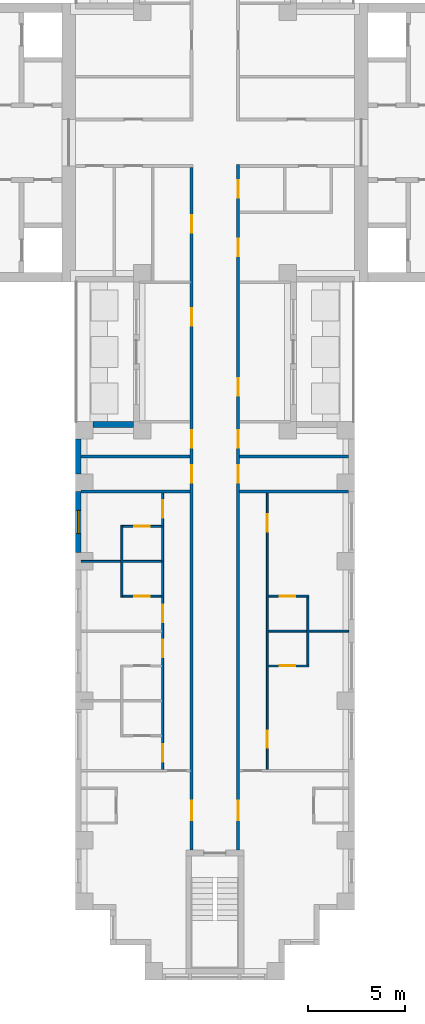
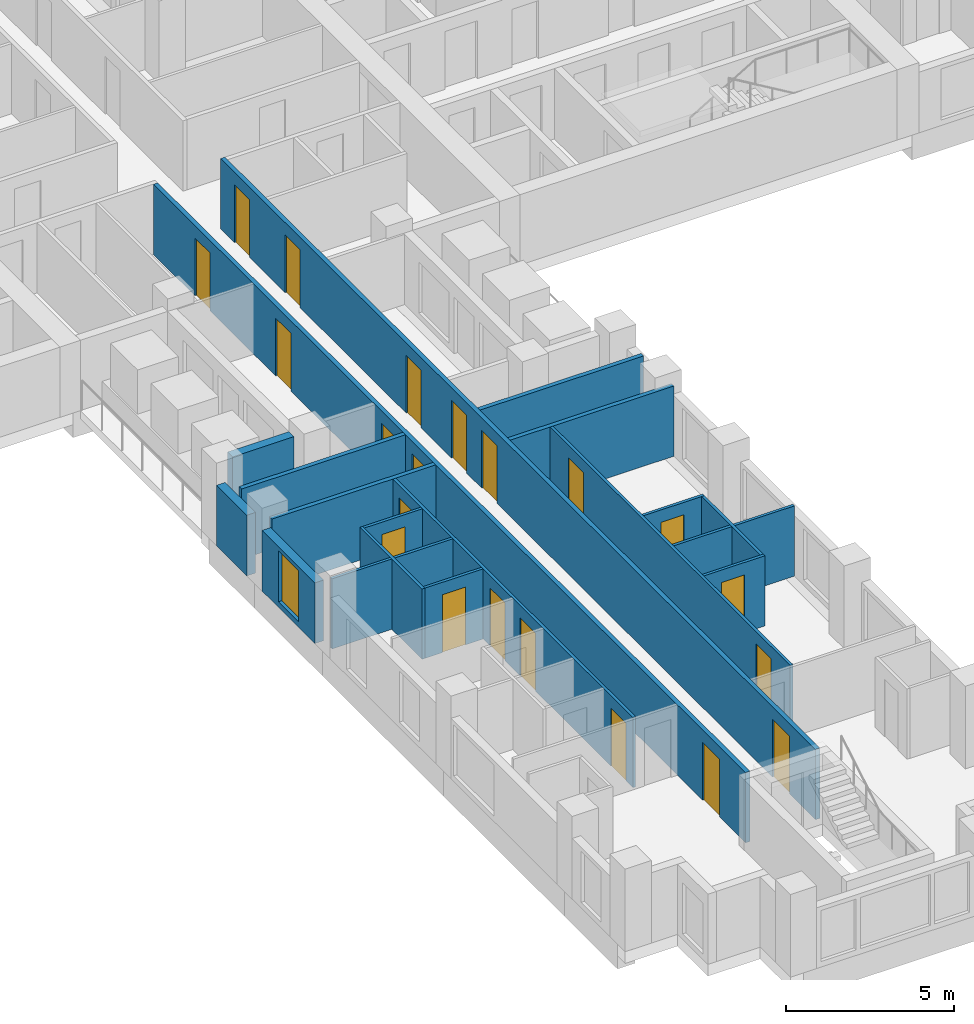
# One storey, part 4 of 13: 21 doors, 19 walls, 1 window, 22 openings.
"""IFC4 building model written with IfcOpenShell, lengths in metres."""

import ifcopenshell
import ifcopenshell.guid

model = None  # the IFC model being written
_history = None  # IfcOwnerHistory: only IFC2X3 demands one
_inside = {}  # id of a spatial element -> (the spatial element, [elements in it])
_under = {}  # id of a project, library or spatial element -> (it, [spatial elements below it])
_declared = {}  # id of a project -> (the project, [libraries it declares])
_typed = {}  # id of a type object -> (the type object, [elements of that type])
_made_of = {}  # id of a material, layer set ... -> (it, [elements and type objects made of it])


def new_model(schema):
    """Start an empty IFC model of exactly this schema.

    Asked for "IFC4X3", IfcOpenShell would pick the latest addendum, in which some entities
    have other attributes; the version numbers below select the first issue.
    IFC2X3 requires an IfcOwnerHistory on every rooted entity: one is made here for all.
    """
    global model, _history
    if schema == "IFC4X3":
        model = ifcopenshell.file(schema_version=(4, 3, 0, 0))
    else:
        model = ifcopenshell.file(schema=schema)
    _inside.clear()
    _under.clear()
    _declared.clear()
    _typed.clear()
    _made_of.clear()
    _history = None
    if model.schema == "IFC2X3":
        org = make("IfcOrganization", Name="unknown")
        user = make(
            "IfcPersonAndOrganization",
            ThePerson=make("IfcPerson", FamilyName="unknown"),
            TheOrganization=org,
        )
        app = make(
            "IfcApplication",
            ApplicationDeveloper=org,
            Version="unknown",
            ApplicationFullName="unknown",
            ApplicationIdentifier="unknown",
        )
        _history = make(
            "IfcOwnerHistory",
            OwningUser=user,
            OwningApplication=app,
            ChangeAction="ADDED",
            CreationDate=0,
        )
    return model


def make(cls, **values):
    """One entity of the class cls with the attributes given. An attribute that is None is left unset."""
    return model.create_entity(
        cls, **{name: value for name, value in values.items() if value is not None}
    )


def rooted(cls, **values):
    """An entity with a GlobalId (a new one), such as an element, a storey or a relation."""
    return make(cls, GlobalId=ifcopenshell.guid.new(), OwnerHistory=_history, **values)


def si_unit(unit_type, name, prefix=None):
    """IfcSIUnit, for example si_unit("LENGTHUNIT", "METRE", prefix="MILLI")."""
    return make("IfcSIUnit", UnitType=unit_type, Prefix=prefix, Name=name)


def assignment(units):
    """IfcUnitAssignment: the units of a project."""
    return None if units is None else make("IfcUnitAssignment", Units=units)


def point(xyz):
    """IfcCartesianPoint."""
    return None if xyz is None else make("IfcCartesianPoint", Coordinates=xyz)


def direction(xyz):
    """IfcDirection."""
    return None if xyz is None else make("IfcDirection", DirectionRatios=xyz)


def frame(location, z_axis=None, x_axis=None):
    """IfcAxis2Placement3D, a coordinate frame: its origin and axes. An axis left out is left unset."""
    return make(
        "IfcAxis2Placement3D",
        Location=point(location),
        Axis=direction(z_axis),
        RefDirection=direction(x_axis),
    )


def frame_2d(location, x_axis=None):
    """IfcAxis2Placement2D, a coordinate frame in the plane: its origin and x axis."""
    return make(
        "IfcAxis2Placement2D", Location=point(location), RefDirection=direction(x_axis)
    )


def origin():
    """The frame at (0, 0, 0) with its axes left unset."""
    return frame((0.0, 0.0, 0.0))


def place(relative_to, where):
    """IfcLocalPlacement: puts the frame where relative to a parent placement (None: the world)."""
    return make(
        "IfcLocalPlacement", PlacementRelTo=relative_to, RelativePlacement=where
    )


def context(
    kind, dimensions, precision=None, world=None, true_north=None, identifier=None
):
    """IfcGeometricRepresentationContext, for example the 3D "Model" context."""
    return make(
        "IfcGeometricRepresentationContext",
        ContextIdentifier=identifier,
        ContextType=kind,
        CoordinateSpaceDimension=dimensions,
        Precision=precision,
        WorldCoordinateSystem=world,
        TrueNorth=true_north,
    )


def subcontext(parent, identifier, kind, view, scale=None):
    """IfcGeometricRepresentationSubContext, for example "Body" below "Model"."""
    return make(
        "IfcGeometricRepresentationSubContext",
        ContextIdentifier=identifier,
        ContextType=kind,
        ParentContext=parent,
        TargetScale=scale,
        TargetView=view,
    )


def project(units=None, contexts=None):
    """IfcProject with its units and contexts."""
    return rooted(
        "IfcProject",
        Name="project",
        RepresentationContexts=contexts,
        UnitsInContext=assignment(units),
    )


def spatial(cls, under=None, at=None, **own):
    """A site, building, storey or space (cls), placed at a placement, below another one or the project."""
    s = rooted(cls, ObjectPlacement=at, **own)
    if under is not None:
        _under.setdefault(under.id(), (under, []))[1].append(s)
    return s


def profile(cls, at=None, kind="AREA", **sizes):
    """A parametric profile (cls). Its sizes go by their IFC names, for example OverallWidth=200.0."""
    return make(cls, ProfileType=kind, Position=at, **sizes)


def rectangle(**sizes):
    """IfcRectangleProfileDef."""
    return profile("IfcRectangleProfileDef", **sizes)


def extrude(swept, where, along, depth):
    """IfcExtrudedAreaSolid: the profile swept, set in the frame where, extruded along a direction by depth."""
    return make(
        "IfcExtrudedAreaSolid",
        SweptArea=swept,
        Position=where,
        ExtrudedDirection=direction(along),
        Depth=depth,
    )


def shape(context_of_items, identifier, shape_type, items):
    """IfcShapeRepresentation: the items that make up one representation, for example the "Body"."""
    return make(
        "IfcShapeRepresentation",
        ContextOfItems=context_of_items,
        RepresentationIdentifier=identifier,
        RepresentationType=shape_type,
        Items=items,
    )


def material(Name=None, Category=None):
    """IfcMaterial."""
    return make("IfcMaterial", Name=Name, Category=Category)


def layer(
    of_material, thickness, ventilated=None, Name=None, Category=None, Priority=None
):
    """IfcMaterialLayer: one layer of a wall or slab, of a material (None: an air gap)."""
    return make(
        "IfcMaterialLayer",
        Material=of_material,
        LayerThickness=thickness,
        IsVentilated=ventilated,
        Name=Name,
        Category=Category,
        Priority=Priority,
    )


def layer_set(layers, Name=None):
    """IfcMaterialLayerSet."""
    return make("IfcMaterialLayerSet", MaterialLayers=layers, LayerSetName=Name)


def made_of(thing, what):
    """Note that an element or type object is made of a material, layer set ...; save() writes the relation."""
    if what is not None:
        _made_of.setdefault(what.id(), (what, []))[1].append(thing)
    return thing


def type_object(cls, material=None, **own):
    """A type object (cls), such as IfcWallType, which elements share."""
    return made_of(rooted(cls, **own), material)


def element(
    cls,
    number,
    at=None,
    inside=None,
    cuts=None,
    type_object=None,
    material=None,
    context=None,
    identifier="Body",
    shape_type=None,
    held_by="IfcProductDefinitionShape",
    body=None,
    shapes=None,
    **own,
):
    """One element of the class cls, such as IfcWall. Its Tag is "e" and its number.

    at: its placement. inside: the storey or other place that contains it. cuts: it is an
    opening in that element (IfcRelVoidsElement). A single representation is given by context,
    identifier, shape_type and body (its items); several are given by shapes. held_by: the class
    of the entity that holds the representations. save() writes the other relations.
    """
    e = rooted(cls, Tag="e%d" % number, ObjectPlacement=at, **own)
    if body is not None:
        shapes = [shape(context, identifier, shape_type, body)]
    if shapes is not None:
        e.Representation = make(held_by, Representations=shapes)
    if inside is not None:
        _inside.setdefault(inside.id(), (inside, []))[1].append(e)
    if cuts is not None:
        rooted(
            "IfcRelVoidsElement", RelatingBuildingElement=cuts, RelatedOpeningElement=e
        )
    if type_object is not None:
        _typed.setdefault(type_object.id(), (type_object, []))[1].append(e)
    return made_of(e, material)


def fill(opening, filler):
    """IfcRelFillsElement: the door or window that sits in an opening."""
    return rooted(
        "IfcRelFillsElement",
        RelatingOpeningElement=opening,
        RelatedBuildingElement=filler,
    )


def aggregate(whole, parts):
    """IfcRelAggregates: a whole, such as a stair, and the parts it consists of."""
    return rooted("IfcRelAggregates", RelatingObject=whole, RelatedObjects=parts)


def save(model, path):
    """Write the relations noted so far, then the file.

    IfcRelAggregates (storeys below a building ...), IfcRelContainedInSpatialStructure (elements
    in a storey), IfcRelDefinesByType, IfcRelAssociatesMaterial and IfcRelDeclares: one each for
    every whole, place, type object, material and project.
    """
    for whole, parts in _under.values():
        aggregate(whole, parts)
    for where, things in _inside.values():
        rooted(
            "IfcRelContainedInSpatialStructure",
            RelatedElements=things,
            RelatingStructure=where,
        )
    for kind, things in _typed.values():
        rooted("IfcRelDefinesByType", RelatedObjects=things, RelatingType=kind)
    for what, things in _made_of.values():
        rooted("IfcRelAssociatesMaterial", RelatedObjects=things, RelatingMaterial=what)
    for by, libraries in _declared.values():
        rooted("IfcRelDeclares", RelatingContext=by, RelatedDefinitions=libraries)
    model.write(path)


model = new_model("IFC4")

# Units and contexts
model_context = context("Model", 3, precision=1e-05, world=origin(), true_north=direction((0.0, 1.0)))
body_context = subcontext(model_context, "Body", "Model", "MODEL_VIEW")
ifc_project = project(units=[si_unit("LENGTHUNIT", "METRE"), si_unit("AREAUNIT", "SQUARE_METRE"), si_unit("VOLUMEUNIT", "CUBIC_METRE"), si_unit("PLANEANGLEUNIT", "RADIAN"), si_unit("MASSUNIT", "GRAM", prefix="KILO")], contexts=[model_context])

# Site, building, storey
site_placement = place(None, origin())
site = spatial("IfcSite", under=ifc_project, at=site_placement, CompositionType="ELEMENT")
building_placement = place(site_placement, origin())
building = spatial("IfcBuilding", under=site, at=building_placement, Name="Fustian Cross Tower", CompositionType="ELEMENT")
storey_placement = place(building_placement, frame((0.0, 0.0, 108.89990234375)))
storey = spatial("IfcBuildingStorey", under=building, at=storey_placement, Name="L34", CompositionType="ELEMENT", Elevation=108.89990234375)

# Walls
ifc_material_1 = material(Name="Plasterboard on steel stud", Category="steel")
ifc_layer_1 = layer(ifc_material_1, 0.14990234375)
ifc_layer_set_1 = layer_set([ifc_layer_1], Name="Plasterboard on steel stud")
wall_type_1 = type_object("IfcWallType", Name="COMPARTMENT WALL 150 EI 60", PredefinedType="PARTITIONING", material=ifc_layer_set_1)
for number, where, z_axis, x_axis, name in (
    (1, (-6.89990234375, -18.0, 0.0), (0.0, 0.0, 1.0), (1.0, 0.0, 0.0), "Partition 21"),
    (2, (-6.89990234375, -16.199951171875, 0.0), (0.0, 0.0, 1.0), (1.0, 0.0, 0.0), "Partition 22"),
):
    element("IfcWall", number, at=place(storey_placement, frame(where, z_axis=z_axis, x_axis=x_axis)), inside=storey, type_object=wall_type_1, Name=name, PredefinedType="PARTITIONING", context=body_context, shape_type="SweptSolid", body=[
        extrude(rectangle(XDim=5.625, YDim=0.14990234375, at=frame_2d((2.8125, 0.0))), origin(), (0.0, 0.0, 1.0), 2.550048828125),
    ])

# Wall, openings, doors
wall_1_placement = place(storey_placement, frame((-1.199951171875, -36.5, 0.0), z_axis=(0.0, 0.0, 1.0), x_axis=(0.0, 1.0, 0.0)))
wall_1 = element("IfcWall", 3, at=wall_1_placement, inside=storey, type_object=wall_type_1, Name="Partition 40", PredefinedType="PARTITIONING", context=body_context, shape_type="SweptSolid", body=[
    extrude(rectangle(XDim=35.22509765625, YDim=0.14990234375, at=frame_2d((17.612548828125, 0.0))), origin(), (0.0, 0.0, 1.0), 2.550048828125),
])
opening_1_placement = place(wall_1_placement, frame((31.85009765625, 0.0, 0.0)))
opening_1 = element("IfcOpeningElement", 4, at=opening_1_placement, cuts=wall_1, Name="Opening D15008", PredefinedType="OPENING", context=body_context, shape_type="SweptSolid", body=[
    extrude(rectangle(XDim=0.89990234375, YDim=2.10009765625, at=frame_2d((0.449951171875, 1.050048828125))), frame((0.0, 0.0849609375, 0.0), z_axis=(0.0, -1.0, 0.0), x_axis=(1.0, 0.0, 0.0)), (0.0, 0.0, 1.0), 0.169921875),
])
opening_2_placement = place(wall_1_placement, frame((27.050048828125, 0.0, 0.0)))
opening_2 = element("IfcOpeningElement", 5, at=opening_2_placement, cuts=wall_1, Name="Opening D15047", PredefinedType="OPENING", context=body_context, shape_type="SweptSolid", body=[
    extrude(rectangle(XDim=0.89990234375, YDim=2.10009765625, at=frame_2d((0.449951171875, 1.050048828125))), frame((0.0, 0.0849609375, 0.0), z_axis=(0.0, -1.0, 0.0), x_axis=(1.0, 0.0, 0.0)), (0.0, 0.0, 1.0), 0.169921875),
])
opening_3_placement = place(wall_1_placement, frame((20.75, 0.0, 0.0)))
opening_3 = element("IfcOpeningElement", 6, at=opening_3_placement, cuts=wall_1, Name="Opening D15048", PredefinedType="OPENING", context=body_context, shape_type="SweptSolid", body=[
    extrude(rectangle(XDim=0.89990234375, YDim=2.10009765625, at=frame_2d((0.449951171875, 1.050048828125))), frame((0.0, 0.0849609375, 0.0), z_axis=(0.0, -1.0, 0.0), x_axis=(1.0, 0.0, 0.0)), (0.0, 0.0, 1.0), 0.169921875),
])
opening_4_placement = place(wall_1_placement, frame((18.949951171875, 0.0, 0.0)))
opening_4 = element("IfcOpeningElement", 7, at=opening_4_placement, cuts=wall_1, Name="Opening D15049", PredefinedType="OPENING", context=body_context, shape_type="SweptSolid", body=[
    extrude(rectangle(XDim=0.89990234375, YDim=2.10009765625, at=frame_2d((0.449951171875, 1.050048828125))), frame((0.0, 0.0849609375, 0.0), z_axis=(0.0, -1.0, 0.0), x_axis=(1.0, 0.0, 0.0)), (0.0, 0.0, 1.0), 0.169921875),
])
opening_5_placement = place(wall_1_placement, frame((1.550048828125, 0.0, 0.0)))
opening_5 = element("IfcOpeningElement", 8, at=opening_5_placement, cuts=wall_1, Name="Opening D15051", PredefinedType="OPENING", context=body_context, shape_type="SweptSolid", body=[
    extrude(rectangle(XDim=1.0, YDim=2.10009765625, at=frame_2d((0.5, 1.050048828125))), frame((0.0, 0.0849609375, 0.0), z_axis=(0.0, -1.0, 0.0), x_axis=(1.0, 0.0, 0.0)), (0.0, 0.0, 1.0), 0.169921875),
])
ifc_material_2 = material(Name="Timber fire door set", Category="wood")
door_type_1 = type_object("IfcDoorType", Name="FIRE SWING DOOR 1000 FD30S", OperationType="SINGLE_SWING_LEFT", PredefinedType="DOOR", material=ifc_material_2)
door_1_placement = place(opening_5_placement, origin())
door_1 = element("IfcDoor", 9, at=door_1_placement, inside=storey, type_object=door_type_1, Name="Door D15051", OperationType="SINGLE_SWING_RIGHT", OverallHeight=2.10009765625, OverallWidth=1.0, PredefinedType="DOOR", context=body_context, shape_type="SweptSolid", body=[
    extrude(rectangle(XDim=1.0, YDim=2.10009765625, at=frame_2d((0.5, 1.050048828125))), frame((0.0, 0.02490234375, 0.0), z_axis=(0.0, -1.0, 0.0), x_axis=(1.0, 0.0, 0.0)), (0.0, 0.0, 1.0), 0.050048828125),
])
fill(opening_5, door_1)
ifc_material_3 = material(Name="Timber fire door set", Category="wood")
door_type_2 = type_object("IfcDoorType", Name="FIRE SWING DOOR 900 FD30S", OperationType="SINGLE_SWING_LEFT", PredefinedType="DOOR", material=ifc_material_3)
door_2_placement = place(opening_1_placement, origin())
door_2 = element("IfcDoor", 10, at=door_2_placement, inside=storey, type_object=door_type_2, Name="Door D15008", OperationType="SINGLE_SWING_LEFT", OverallHeight=2.10009765625, OverallWidth=0.89990234375, PredefinedType="DOOR", context=body_context, shape_type="SweptSolid", body=[
    extrude(rectangle(XDim=0.89990234375, YDim=2.10009765625, at=frame_2d((0.449951171875, 1.050048828125))), frame((0.0, 0.02490234375, 0.0), z_axis=(0.0, -1.0, 0.0), x_axis=(1.0, 0.0, 0.0)), (0.0, 0.0, 1.0), 0.050048828125),
])
fill(opening_1, door_2)
door_3_placement = place(opening_2_placement, origin())
door_3 = element("IfcDoor", 11, at=door_3_placement, inside=storey, type_object=door_type_2, Name="Door D15047", OperationType="SINGLE_SWING_RIGHT", OverallHeight=2.10009765625, OverallWidth=0.89990234375, PredefinedType="DOOR", context=body_context, shape_type="SweptSolid", body=[
    extrude(rectangle(XDim=0.89990234375, YDim=2.10009765625, at=frame_2d((0.449951171875, 1.050048828125))), frame((0.0, 0.02490234375, 0.0), z_axis=(0.0, -1.0, 0.0), x_axis=(1.0, 0.0, 0.0)), (0.0, 0.0, 1.0), 0.050048828125),
])
fill(opening_2, door_3)
door_4_placement = place(opening_3_placement, origin())
door_4 = element("IfcDoor", 12, at=door_4_placement, inside=storey, type_object=door_type_2, Name="Door D15048", OperationType="SINGLE_SWING_RIGHT", OverallHeight=2.10009765625, OverallWidth=0.89990234375, PredefinedType="DOOR", context=body_context, shape_type="SweptSolid", body=[
    extrude(rectangle(XDim=0.89990234375, YDim=2.10009765625, at=frame_2d((0.449951171875, 1.050048828125))), frame((0.0, 0.02490234375, 0.0), z_axis=(0.0, -1.0, 0.0), x_axis=(1.0, 0.0, 0.0)), (0.0, 0.0, 1.0), 0.050048828125),
])
fill(opening_3, door_4)
door_5_placement = place(opening_4_placement, frame((0.89990234375, 0.0, 0.0), z_axis=(0.0, 0.0, 1.0), x_axis=(-1.0, 0.0, 0.0)))
door_5 = element("IfcDoor", 13, at=door_5_placement, inside=storey, type_object=door_type_2, Name="Door D15049", OperationType="SINGLE_SWING_LEFT", OverallHeight=2.10009765625, OverallWidth=0.89990234375, PredefinedType="DOOR", context=body_context, shape_type="SweptSolid", body=[
    extrude(rectangle(XDim=0.89990234375, YDim=2.10009765625, at=frame_2d((0.449951171875, 1.050048828125))), frame((0.0, 0.02490234375, 0.0), z_axis=(0.0, -1.0, 0.0), x_axis=(1.0, 0.0, 0.0)), (0.0, 0.0, 1.0), 0.050048828125),
])
fill(opening_4, door_5)

wall_2_placement = place(storey_placement, frame((1.199951171875, -36.5, 0.0), z_axis=(0.0, 0.0, 1.0), x_axis=(0.0, 1.0, 0.0)))
wall_2 = element("IfcWall", 14, at=wall_2_placement, inside=storey, type_object=wall_type_1, Name="Partition 43", PredefinedType="PARTITIONING", context=body_context, shape_type="SweptSolid", body=[
    extrude(rectangle(XDim=35.375, YDim=0.14990234375, at=frame_2d((17.6875, 0.0))), origin(), (0.0, 0.0, 1.0), 2.550048828125),
])
opening_6_placement = place(wall_2_placement, frame((33.64990234375, 0.0, 0.0)))
opening_6 = element("IfcOpeningElement", 15, at=opening_6_placement, cuts=wall_2, Name="Opening D15005", PredefinedType="OPENING", context=body_context, shape_type="SweptSolid", body=[
    extrude(rectangle(XDim=0.89990234375, YDim=2.10009765625, at=frame_2d((0.449951171875, 1.050048828125))), frame((0.0, 0.0849609375, 0.0), z_axis=(0.0, -1.0, 0.0), x_axis=(1.0, 0.0, 0.0)), (0.0, 0.0, 1.0), 0.169921875),
])
opening_7_placement = place(wall_2_placement, frame((30.64990234375, 0.0, 0.0)))
opening_7 = element("IfcOpeningElement", 16, at=opening_7_placement, cuts=wall_2, Name="Opening D15007", PredefinedType="OPENING", context=body_context, shape_type="SweptSolid", body=[
    extrude(rectangle(XDim=0.89990234375, YDim=2.10009765625, at=frame_2d((0.449951171875, 1.050048828125))), frame((0.0, 0.0849609375, 0.0), z_axis=(0.0, -1.0, 0.0), x_axis=(1.0, 0.0, 0.0)), (0.0, 0.0, 1.0), 0.169921875),
])
opening_8_placement = place(wall_2_placement, frame((23.449951171875, 0.0, 0.0)))
opening_8 = element("IfcOpeningElement", 17, at=opening_8_placement, cuts=wall_2, Name="Opening D15037", PredefinedType="OPENING", context=body_context, shape_type="SweptSolid", body=[
    extrude(rectangle(XDim=0.89990234375, YDim=2.10009765625, at=frame_2d((0.449951171875, 1.050048828125))), frame((0.0, 0.0849609375, 0.0), z_axis=(0.0, -1.0, 0.0), x_axis=(1.0, 0.0, 0.0)), (0.0, 0.0, 1.0), 0.169921875),
])
opening_9_placement = place(wall_2_placement, frame((20.75, 0.0, 0.0)))
opening_9 = element("IfcOpeningElement", 18, at=opening_9_placement, cuts=wall_2, Name="Opening D15038", PredefinedType="OPENING", context=body_context, shape_type="SweptSolid", body=[
    extrude(rectangle(XDim=0.89990234375, YDim=2.10009765625, at=frame_2d((0.449951171875, 1.050048828125))), frame((0.0, 0.0849609375, 0.0), z_axis=(0.0, -1.0, 0.0), x_axis=(1.0, 0.0, 0.0)), (0.0, 0.0, 1.0), 0.169921875),
])
opening_10_placement = place(wall_2_placement, frame((18.949951171875, 0.0, 0.0)))
opening_10 = element("IfcOpeningElement", 19, at=opening_10_placement, cuts=wall_2, Name="Opening D15039", PredefinedType="OPENING", context=body_context, shape_type="SweptSolid", body=[
    extrude(rectangle(XDim=0.89990234375, YDim=2.10009765625, at=frame_2d((0.449951171875, 1.050048828125))), frame((0.0, 0.0849609375, 0.0), z_axis=(0.0, -1.0, 0.0), x_axis=(1.0, 0.0, 0.0)), (0.0, 0.0, 1.0), 0.169921875),
])
opening_11_placement = place(wall_2_placement, frame((1.550048828125, 0.0, 0.0)))
opening_11 = element("IfcOpeningElement", 20, at=opening_11_placement, cuts=wall_2, Name="Opening D15041", PredefinedType="OPENING", context=body_context, shape_type="SweptSolid", body=[
    extrude(rectangle(XDim=1.0, YDim=2.10009765625, at=frame_2d((0.5, 1.050048828125))), frame((0.0, 0.0849609375, 0.0), z_axis=(0.0, -1.0, 0.0), x_axis=(1.0, 0.0, 0.0)), (0.0, 0.0, 1.0), 0.169921875),
])
door_6_placement = place(opening_11_placement, frame((1.0, 0.0, 0.0), z_axis=(0.0, 0.0, 1.0), x_axis=(-1.0, 0.0, 0.0)))
door_6 = element("IfcDoor", 21, at=door_6_placement, inside=storey, type_object=door_type_1, Name="Door D15041", OperationType="SINGLE_SWING_LEFT", OverallHeight=2.10009765625, OverallWidth=1.0, PredefinedType="DOOR", context=body_context, shape_type="SweptSolid", body=[
    extrude(rectangle(XDim=1.0, YDim=2.10009765625, at=frame_2d((0.5, 1.050048828125))), frame((0.0, 0.02490234375, 0.0), z_axis=(0.0, -1.0, 0.0), x_axis=(1.0, 0.0, 0.0)), (0.0, 0.0, 1.0), 0.050048828125),
])
fill(opening_11, door_6)
door_7_placement = place(opening_6_placement, frame((0.89990234375, 0.0, 0.0), z_axis=(0.0, 0.0, 1.0), x_axis=(-1.0, 0.0, 0.0)))
door_7 = element("IfcDoor", 22, at=door_7_placement, inside=storey, type_object=door_type_2, Name="Door D15005", OperationType="SINGLE_SWING_RIGHT", OverallHeight=2.10009765625, OverallWidth=0.89990234375, PredefinedType="DOOR", context=body_context, shape_type="SweptSolid", body=[
    extrude(rectangle(XDim=0.89990234375, YDim=2.10009765625, at=frame_2d((0.449951171875, 1.050048828125))), frame((0.0, 0.02490234375, 0.0), z_axis=(0.0, -1.0, 0.0), x_axis=(1.0, 0.0, 0.0)), (0.0, 0.0, 1.0), 0.050048828125),
])
fill(opening_6, door_7)
door_8_placement = place(opening_7_placement, frame((0.89990234375, 0.0, 0.0), z_axis=(0.0, 0.0, 1.0), x_axis=(-1.0, 0.0, 0.0)))
door_8 = element("IfcDoor", 23, at=door_8_placement, inside=storey, type_object=door_type_2, Name="Door D15007", OperationType="SINGLE_SWING_RIGHT", OverallHeight=2.10009765625, OverallWidth=0.89990234375, PredefinedType="DOOR", context=body_context, shape_type="SweptSolid", body=[
    extrude(rectangle(XDim=0.89990234375, YDim=2.10009765625, at=frame_2d((0.449951171875, 1.050048828125))), frame((0.0, 0.02490234375, 0.0), z_axis=(0.0, -1.0, 0.0), x_axis=(1.0, 0.0, 0.0)), (0.0, 0.0, 1.0), 0.050048828125),
])
fill(opening_7, door_8)
door_9_placement = place(opening_8_placement, frame((0.89990234375, 0.0, 0.0), z_axis=(0.0, 0.0, 1.0), x_axis=(-1.0, 0.0, 0.0)))
door_9 = element("IfcDoor", 24, at=door_9_placement, inside=storey, type_object=door_type_2, Name="Door D15037", OperationType="SINGLE_SWING_RIGHT", OverallHeight=2.10009765625, OverallWidth=0.89990234375, PredefinedType="DOOR", context=body_context, shape_type="SweptSolid", body=[
    extrude(rectangle(XDim=0.89990234375, YDim=2.10009765625, at=frame_2d((0.449951171875, 1.050048828125))), frame((0.0, 0.02490234375, 0.0), z_axis=(0.0, -1.0, 0.0), x_axis=(1.0, 0.0, 0.0)), (0.0, 0.0, 1.0), 0.050048828125),
])
fill(opening_8, door_9)
door_10_placement = place(opening_9_placement, origin())
door_10 = element("IfcDoor", 25, at=door_10_placement, inside=storey, type_object=door_type_2, Name="Door D15038", OperationType="SINGLE_SWING_RIGHT", OverallHeight=2.10009765625, OverallWidth=0.89990234375, PredefinedType="DOOR", context=body_context, shape_type="SweptSolid", body=[
    extrude(rectangle(XDim=0.89990234375, YDim=2.10009765625, at=frame_2d((0.449951171875, 1.050048828125))), frame((0.0, 0.02490234375, 0.0), z_axis=(0.0, -1.0, 0.0), x_axis=(1.0, 0.0, 0.0)), (0.0, 0.0, 1.0), 0.050048828125),
])
fill(opening_9, door_10)
door_11_placement = place(opening_10_placement, frame((0.89990234375, 0.0, 0.0), z_axis=(0.0, 0.0, 1.0), x_axis=(-1.0, 0.0, 0.0)))
door_11 = element("IfcDoor", 26, at=door_11_placement, inside=storey, type_object=door_type_2, Name="Door D15039", OperationType="SINGLE_SWING_LEFT", OverallHeight=2.10009765625, OverallWidth=0.89990234375, PredefinedType="DOOR", context=body_context, shape_type="SweptSolid", body=[
    extrude(rectangle(XDim=0.89990234375, YDim=2.10009765625, at=frame_2d((0.449951171875, 1.050048828125))), frame((0.0, 0.02490234375, 0.0), z_axis=(0.0, -1.0, 0.0), x_axis=(1.0, 0.0, 0.0)), (0.0, 0.0, 1.0), 0.050048828125),
])
fill(opening_10, door_11)

# Walls
for number, where, z_axis, x_axis, name in (
    (27, (1.27490234375, -18.0, 0.0), (0.0, 0.0, 1.0), (1.0, 0.0, 0.0), "Partition 45"),
    (28, (1.27490234375, -16.199951171875, 0.0), (0.0, 0.0, 1.0), (1.0, 0.0, 0.0), "Partition 46"),
):
    element("IfcWall", number, at=place(storey_placement, frame(where, z_axis=z_axis, x_axis=x_axis)), inside=storey, type_object=wall_type_1, Name=name, PredefinedType="PARTITIONING", context=body_context, shape_type="SweptSolid", body=[
        extrude(rectangle(XDim=5.625, YDim=0.14990234375, at=frame_2d((2.8125, 0.0))), origin(), (0.0, 0.0, 1.0), 2.550048828125),
    ])
ifc_material_4 = material(Name="Plasterboard on steel stud", Category="steel")
ifc_layer_2 = layer(ifc_material_4, 0.10009765625)
ifc_layer_set_2 = layer_set([ifc_layer_2], Name="Plasterboard on steel stud")
wall_type_2 = type_object("IfcWallType", Name="PARTITION 100 STUD", PredefinedType="PARTITIONING", material=ifc_layer_set_2)
wall_3_placement = place(storey_placement, frame((-6.89990234375, -21.60009765625, 0.0), z_axis=(0.0, 0.0, 1.0), x_axis=(1.0, 0.0, 0.0)))
element("IfcWall", 29, at=wall_3_placement, inside=storey, type_object=wall_type_2, Name="Partition 20", PredefinedType="PARTITIONING", context=body_context, shape_type="SweptSolid", body=[
    extrude(rectangle(XDim=4.14990234375, YDim=0.10009765625, at=frame_2d((2.074951171875, 0.0))), origin(), (0.0, 0.0, 1.0), 2.550048828125),
])
wall_4_placement = place(storey_placement, frame((-4.800048828125, -23.449951171875, 0.0), z_axis=(0.0, 0.0, 1.0), x_axis=(0.0, 1.0, 0.0)))
element("IfcWall", 30, at=wall_4_placement, inside=storey, type_object=wall_type_2, Name="Partition 28", PredefinedType="PARTITIONING", context=body_context, shape_type="SweptSolid", body=[
    extrude(rectangle(XDim=3.699951171875, YDim=0.10009765625, at=frame_2d((1.85009765625, 0.0))), origin(), (0.0, 0.0, 1.0), 2.550048828125),
])

# Wall, opening, door
wall_5_placement = place(storey_placement, frame((-4.75, -23.39990234375, 0.0), z_axis=(0.0, 0.0, 1.0), x_axis=(1.0, 0.0, 0.0)))
wall_5 = element("IfcWall", 31, at=wall_5_placement, inside=storey, type_object=wall_type_2, Name="Partition 29", PredefinedType="PARTITIONING", context=body_context, shape_type="SweptSolid", body=[
    extrude(rectangle(XDim=2.0, YDim=0.10009765625, at=frame_2d((1.0, 0.0))), origin(), (0.0, 0.0, 1.0), 2.550048828125),
])
opening_12_placement = place(wall_5_placement, frame((0.60009765625, 0.0, 0.0)))
opening_12 = element("IfcOpeningElement", 32, at=opening_12_placement, cuts=wall_5, Name="Opening D15058", PredefinedType="OPENING", context=body_context, shape_type="SweptSolid", body=[
    extrude(rectangle(XDim=0.800048828125, YDim=2.10009765625, at=frame_2d((0.39990234375, 1.050048828125))), frame((0.0, 0.06005859375, 0.0), z_axis=(0.0, -1.0, 0.0), x_axis=(1.0, 0.0, 0.0)), (0.0, 0.0, 1.0), 0.1201171875),
])
ifc_material_5 = material(Name="Painted timber", Category="wood")
door_type_3 = type_object("IfcDoorType", Name="SWING DOOR 800", OperationType="SINGLE_SWING_LEFT", PredefinedType="DOOR", material=ifc_material_5)
door_12_placement = place(opening_12_placement, origin())
door_12 = element("IfcDoor", 33, at=door_12_placement, inside=storey, type_object=door_type_3, Name="Door D15058", OperationType="SINGLE_SWING_LEFT", OverallHeight=2.10009765625, OverallWidth=0.800048828125, PredefinedType="DOOR", context=body_context, shape_type="SweptSolid", body=[
    extrude(rectangle(XDim=0.800048828125, YDim=2.10009765625, at=frame_2d((0.39990234375, 1.050048828125))), frame((0.0, 0.02490234375, 0.0), z_axis=(0.0, -1.0, 0.0), x_axis=(1.0, 0.0, 0.0)), (0.0, 0.0, 1.0), 0.050048828125),
])
fill(opening_12, door_12)

wall_6_placement = place(storey_placement, frame((-4.75, -19.800048828125, 0.0), z_axis=(0.0, 0.0, 1.0), x_axis=(1.0, 0.0, 0.0)))
wall_6 = element("IfcWall", 34, at=wall_6_placement, inside=storey, type_object=wall_type_2, Name="Partition 30", PredefinedType="PARTITIONING", context=body_context, shape_type="SweptSolid", body=[
    extrude(rectangle(XDim=2.0, YDim=0.10009765625, at=frame_2d((1.0, 0.0))), origin(), (0.0, 0.0, 1.0), 2.550048828125),
])
opening_13_placement = place(wall_6_placement, frame((0.60009765625, 0.0, 0.0)))
opening_13 = element("IfcOpeningElement", 35, at=opening_13_placement, cuts=wall_6, Name="Opening D15057", PredefinedType="OPENING", context=body_context, shape_type="SweptSolid", body=[
    extrude(rectangle(XDim=0.800048828125, YDim=2.10009765625, at=frame_2d((0.39990234375, 1.050048828125))), frame((0.0, 0.06005859375, 0.0), z_axis=(0.0, -1.0, 0.0), x_axis=(1.0, 0.0, 0.0)), (0.0, 0.0, 1.0), 0.1201171875),
])
door_13_placement = place(opening_13_placement, frame((0.800048828125, 0.0, 0.0), z_axis=(0.0, 0.0, 1.0), x_axis=(-1.0, 0.0, 0.0)))
door_13 = element("IfcDoor", 36, at=door_13_placement, inside=storey, type_object=door_type_3, Name="Door D15057", OperationType="SINGLE_SWING_RIGHT", OverallHeight=2.10009765625, OverallWidth=0.800048828125, PredefinedType="DOOR", context=body_context, shape_type="SweptSolid", body=[
    extrude(rectangle(XDim=0.800048828125, YDim=2.10009765625, at=frame_2d((0.39990234375, 1.050048828125))), frame((0.0, 0.02490234375, 0.0), z_axis=(0.0, -1.0, 0.0), x_axis=(1.0, 0.0, 0.0)), (0.0, 0.0, 1.0), 0.050048828125),
])
fill(opening_13, door_13)

# Wall, openings, doors
wall_7_placement = place(storey_placement, frame((-2.699951171875, -32.35009765625, 0.0), z_axis=(0.0, 0.0, 1.0), x_axis=(0.0, 1.0, 0.0)))
wall_7 = element("IfcWall", 37, at=wall_7_placement, inside=storey, type_object=wall_type_2, Name="Partition 39", PredefinedType="PARTITIONING", context=body_context, shape_type="SweptSolid", body=[
    extrude(rectangle(XDim=14.275146484375, YDim=0.10009765625, at=frame_2d((7.1376953125, 0.0))), origin(), (0.0, 0.0, 1.0), 2.550048828125),
])
opening_14_placement = place(wall_7_placement, frame((0.400146484375, 0.0, 0.0)))
opening_14 = element("IfcOpeningElement", 38, at=opening_14_placement, cuts=wall_7, Name="Opening D15052", PredefinedType="OPENING", context=body_context, shape_type="SweptSolid", body=[
    extrude(rectangle(XDim=0.89990234375, YDim=2.10009765625, at=frame_2d((0.449951171875, 1.050048828125))), frame((0.0, 0.06005859375, 0.0), z_axis=(0.0, -1.0, 0.0), x_axis=(1.0, 0.0, 0.0)), (0.0, 0.0, 1.0), 0.1201171875),
])
opening_15_placement = place(wall_7_placement, frame((5.800048828125, 0.0, 0.0)))
opening_15 = element("IfcOpeningElement", 39, at=opening_15_placement, cuts=wall_7, Name="Opening D15053", PredefinedType="OPENING", context=body_context, shape_type="SweptSolid", body=[
    extrude(rectangle(XDim=0.89990234375, YDim=2.10009765625, at=frame_2d((0.449951171875, 1.050048828125))), frame((0.0, 0.06005859375, 0.0), z_axis=(0.0, -1.0, 0.0), x_axis=(1.0, 0.0, 0.0)), (0.0, 0.0, 1.0), 0.1201171875),
])
opening_16_placement = place(wall_7_placement, frame((7.60009765625, 0.0, 0.0)))
opening_16 = element("IfcOpeningElement", 40, at=opening_16_placement, cuts=wall_7, Name="Opening D15054", PredefinedType="OPENING", context=body_context, shape_type="SweptSolid", body=[
    extrude(rectangle(XDim=0.89990234375, YDim=2.10009765625, at=frame_2d((0.449951171875, 1.050048828125))), frame((0.0, 0.06005859375, 0.0), z_axis=(0.0, -1.0, 0.0), x_axis=(1.0, 0.0, 0.0)), (0.0, 0.0, 1.0), 0.1201171875),
])
opening_17_placement = place(wall_7_placement, frame((13.0, 0.0, 0.0)))
opening_17 = element("IfcOpeningElement", 41, at=opening_17_placement, cuts=wall_7, Name="Opening D15055", PredefinedType="OPENING", context=body_context, shape_type="SweptSolid", body=[
    extrude(rectangle(XDim=0.89990234375, YDim=2.10009765625, at=frame_2d((0.449951171875, 1.050048828125))), frame((0.0, 0.06005859375, 0.0), z_axis=(0.0, -1.0, 0.0), x_axis=(1.0, 0.0, 0.0)), (0.0, 0.0, 1.0), 0.1201171875),
])
ifc_material_6 = material(Name="Painted timber", Category="wood")
door_type_4 = type_object("IfcDoorType", Name="SWING DOOR 900", OperationType="SINGLE_SWING_LEFT", PredefinedType="DOOR", material=ifc_material_6)
door_14_placement = place(opening_14_placement, origin())
door_14 = element("IfcDoor", 42, at=door_14_placement, inside=storey, type_object=door_type_4, Name="Door D15052", OperationType="SINGLE_SWING_LEFT", OverallHeight=2.10009765625, OverallWidth=0.89990234375, PredefinedType="DOOR", context=body_context, shape_type="SweptSolid", body=[
    extrude(rectangle(XDim=0.89990234375, YDim=2.10009765625, at=frame_2d((0.449951171875, 1.050048828125))), frame((0.0, 0.02490234375, 0.0), z_axis=(0.0, -1.0, 0.0), x_axis=(1.0, 0.0, 0.0)), (0.0, 0.0, 1.0), 0.050048828125),
])
fill(opening_14, door_14)
door_15_placement = place(opening_15_placement, origin())
door_15 = element("IfcDoor", 43, at=door_15_placement, inside=storey, type_object=door_type_4, Name="Door D15053", OperationType="SINGLE_SWING_LEFT", OverallHeight=2.10009765625, OverallWidth=0.89990234375, PredefinedType="DOOR", context=body_context, shape_type="SweptSolid", body=[
    extrude(rectangle(XDim=0.89990234375, YDim=2.10009765625, at=frame_2d((0.449951171875, 1.050048828125))), frame((0.0, 0.02490234375, 0.0), z_axis=(0.0, -1.0, 0.0), x_axis=(1.0, 0.0, 0.0)), (0.0, 0.0, 1.0), 0.050048828125),
])
fill(opening_15, door_15)
door_16_placement = place(opening_16_placement, origin())
door_16 = element("IfcDoor", 44, at=door_16_placement, inside=storey, type_object=door_type_4, Name="Door D15054", OperationType="SINGLE_SWING_LEFT", OverallHeight=2.10009765625, OverallWidth=0.89990234375, PredefinedType="DOOR", context=body_context, shape_type="SweptSolid", body=[
    extrude(rectangle(XDim=0.89990234375, YDim=2.10009765625, at=frame_2d((0.449951171875, 1.050048828125))), frame((0.0, 0.02490234375, 0.0), z_axis=(0.0, -1.0, 0.0), x_axis=(1.0, 0.0, 0.0)), (0.0, 0.0, 1.0), 0.050048828125),
])
fill(opening_16, door_16)
door_17_placement = place(opening_17_placement, origin())
door_17 = element("IfcDoor", 45, at=door_17_placement, inside=storey, type_object=door_type_4, Name="Door D15055", OperationType="SINGLE_SWING_LEFT", OverallHeight=2.10009765625, OverallWidth=0.89990234375, PredefinedType="DOOR", context=body_context, shape_type="SweptSolid", body=[
    extrude(rectangle(XDim=0.89990234375, YDim=2.10009765625, at=frame_2d((0.449951171875, 1.050048828125))), frame((0.0, 0.02490234375, 0.0), z_axis=(0.0, -1.0, 0.0), x_axis=(1.0, 0.0, 0.0)), (0.0, 0.0, 1.0), 0.050048828125),
])
fill(opening_17, door_17)

wall_8_placement = place(storey_placement, frame((2.699951171875, -32.35009765625, 0.0), z_axis=(0.0, 0.0, 1.0), x_axis=(0.0, 1.0, 0.0)))
wall_8 = element("IfcWall", 46, at=wall_8_placement, inside=storey, type_object=wall_type_2, Name="Partition 59", PredefinedType="PARTITIONING", context=body_context, shape_type="SweptSolid", body=[
    extrude(rectangle(XDim=14.275146484375, YDim=0.10009765625, at=frame_2d((7.1376953125, 0.0))), origin(), (0.0, 0.0, 1.0), 2.550048828125),
])
opening_18_placement = place(wall_8_placement, frame((1.1201171875, 0.0, 0.0)))
opening_18 = element("IfcOpeningElement", 47, at=opening_18_placement, cuts=wall_8, Name="Opening D15043", PredefinedType="OPENING", context=body_context, shape_type="SweptSolid", body=[
    extrude(rectangle(XDim=0.89990234375, YDim=2.10009765625, at=frame_2d((0.449951171875, 1.050048828125))), frame((0.0, 0.06005859375, 0.0), z_axis=(0.0, -1.0, 0.0), x_axis=(1.0, 0.0, 0.0)), (0.0, 0.0, 1.0), 0.1201171875),
])
opening_19_placement = place(wall_8_placement, frame((12.280029296875, 0.0, 0.0)))
opening_19 = element("IfcOpeningElement", 48, at=opening_19_placement, cuts=wall_8, Name="Opening D15044", PredefinedType="OPENING", context=body_context, shape_type="SweptSolid", body=[
    extrude(rectangle(XDim=0.89990234375, YDim=2.10009765625, at=frame_2d((0.449951171875, 1.050048828125))), frame((0.0, 0.06005859375, 0.0), z_axis=(0.0, -1.0, 0.0), x_axis=(1.0, 0.0, 0.0)), (0.0, 0.0, 1.0), 0.1201171875),
])
door_18_placement = place(opening_18_placement, origin())
door_18 = element("IfcDoor", 49, at=door_18_placement, inside=storey, type_object=door_type_4, Name="Door D15043", OperationType="SINGLE_SWING_LEFT", OverallHeight=2.10009765625, OverallWidth=0.89990234375, PredefinedType="DOOR", context=body_context, shape_type="SweptSolid", body=[
    extrude(rectangle(XDim=0.89990234375, YDim=2.10009765625, at=frame_2d((0.449951171875, 1.050048828125))), frame((0.0, 0.02490234375, 0.0), z_axis=(0.0, -1.0, 0.0), x_axis=(1.0, 0.0, 0.0)), (0.0, 0.0, 1.0), 0.050048828125),
])
fill(opening_18, door_18)
door_19_placement = place(opening_19_placement, origin())
door_19 = element("IfcDoor", 50, at=door_19_placement, inside=storey, type_object=door_type_4, Name="Door D15044", OperationType="SINGLE_SWING_RIGHT", OverallHeight=2.10009765625, OverallWidth=0.89990234375, PredefinedType="DOOR", context=body_context, shape_type="SweptSolid", body=[
    extrude(rectangle(XDim=0.89990234375, YDim=2.10009765625, at=frame_2d((0.449951171875, 1.050048828125))), frame((0.0, 0.02490234375, 0.0), z_axis=(0.0, -1.0, 0.0), x_axis=(1.0, 0.0, 0.0)), (0.0, 0.0, 1.0), 0.050048828125),
])
fill(opening_19, door_19)

# Wall, opening, door
wall_9_placement = place(storey_placement, frame((2.75, -27.0, 0.0), z_axis=(0.0, 0.0, 1.0), x_axis=(1.0, 0.0, 0.0)))
wall_9 = element("IfcWall", 51, at=wall_9_placement, inside=storey, type_object=wall_type_2, Name="Partition 60", PredefinedType="PARTITIONING", context=body_context, shape_type="SweptSolid", body=[
    extrude(rectangle(XDim=2.10009765625, YDim=0.10009765625, at=frame_2d((1.050048828125, 0.0))), origin(), (0.0, 0.0, 1.0), 2.550048828125),
])
opening_20_placement = place(wall_9_placement, frame((0.60009765625, 0.0, 0.0)))
opening_20 = element("IfcOpeningElement", 52, at=opening_20_placement, cuts=wall_9, Name="Opening D15046", PredefinedType="OPENING", context=body_context, shape_type="SweptSolid", body=[
    extrude(rectangle(XDim=0.800048828125, YDim=2.10009765625, at=frame_2d((0.39990234375, 1.050048828125))), frame((0.0, 0.06005859375, 0.0), z_axis=(0.0, -1.0, 0.0), x_axis=(1.0, 0.0, 0.0)), (0.0, 0.0, 1.0), 0.1201171875),
])
door_20_placement = place(opening_20_placement, origin())
door_20 = element("IfcDoor", 53, at=door_20_placement, inside=storey, type_object=door_type_3, Name="Door D15046", OperationType="SINGLE_SWING_LEFT", OverallHeight=2.10009765625, OverallWidth=0.800048828125, PredefinedType="DOOR", context=body_context, shape_type="SweptSolid", body=[
    extrude(rectangle(XDim=0.800048828125, YDim=2.10009765625, at=frame_2d((0.39990234375, 1.050048828125))), frame((0.0, 0.02490234375, 0.0), z_axis=(0.0, -1.0, 0.0), x_axis=(1.0, 0.0, 0.0)), (0.0, 0.0, 1.0), 0.050048828125),
])
fill(opening_20, door_20)

# Wall
wall_10_placement = place(storey_placement, frame((2.75, -25.199951171875, 0.0), z_axis=(0.0, 0.0, 1.0), x_axis=(1.0, 0.0, 0.0)))
element("IfcWall", 54, at=wall_10_placement, inside=storey, type_object=wall_type_2, Name="Partition 61", PredefinedType="PARTITIONING", context=body_context, shape_type="SweptSolid", body=[
    extrude(rectangle(XDim=4.14990234375, YDim=0.10009765625, at=frame_2d((2.074951171875, 0.0))), origin(), (0.0, 0.0, 1.0), 2.550048828125),
])

# Wall, opening, door
wall_11_placement = place(storey_placement, frame((2.75, -23.39990234375, 0.0), z_axis=(0.0, 0.0, 1.0), x_axis=(1.0, 0.0, 0.0)))
wall_11 = element("IfcWall", 55, at=wall_11_placement, inside=storey, type_object=wall_type_2, Name="Partition 62", PredefinedType="PARTITIONING", context=body_context, shape_type="SweptSolid", body=[
    extrude(rectangle(XDim=2.10009765625, YDim=0.10009765625, at=frame_2d((1.050048828125, 0.0))), origin(), (0.0, 0.0, 1.0), 2.550048828125),
])
opening_21_placement = place(wall_11_placement, frame((0.60009765625, 0.0, 0.0)))
opening_21 = element("IfcOpeningElement", 56, at=opening_21_placement, cuts=wall_11, Name="Opening D15045", PredefinedType="OPENING", context=body_context, shape_type="SweptSolid", body=[
    extrude(rectangle(XDim=0.800048828125, YDim=2.10009765625, at=frame_2d((0.39990234375, 1.050048828125))), frame((0.0, 0.06005859375, 0.0), z_axis=(0.0, -1.0, 0.0), x_axis=(1.0, 0.0, 0.0)), (0.0, 0.0, 1.0), 0.1201171875),
])
door_21_placement = place(opening_21_placement, frame((0.800048828125, 0.0, 0.0), z_axis=(0.0, 0.0, 1.0), x_axis=(-1.0, 0.0, 0.0)))
door_21 = element("IfcDoor", 57, at=door_21_placement, inside=storey, type_object=door_type_3, Name="Door D15045", OperationType="SINGLE_SWING_RIGHT", OverallHeight=2.10009765625, OverallWidth=0.800048828125, PredefinedType="DOOR", context=body_context, shape_type="SweptSolid", body=[
    extrude(rectangle(XDim=0.800048828125, YDim=2.10009765625, at=frame_2d((0.39990234375, 1.050048828125))), frame((0.0, 0.02490234375, 0.0), z_axis=(0.0, -1.0, 0.0), x_axis=(1.0, 0.0, 0.0)), (0.0, 0.0, 1.0), 0.050048828125),
])
fill(opening_21, door_21)

# Walls
wall_12_placement = place(storey_placement, frame((4.800048828125, -26.949951171875, 0.0), z_axis=(0.0, 0.0, 1.0), x_axis=(0.0, 1.0, 0.0)))
element("IfcWall", 58, at=wall_12_placement, inside=storey, type_object=wall_type_2, Name="Partition 65", PredefinedType="PARTITIONING", context=body_context, shape_type="SweptSolid", body=[
    extrude(rectangle(XDim=3.5, YDim=0.10009765625, at=frame_2d((1.75, 0.0))), origin(), (0.0, 0.0, 1.0), 2.550048828125),
])
ifc_material_7 = material(Name="Dark aluminium cladding on insulated backing wall", Category="aluminium")
ifc_layer_3 = layer(ifc_material_7, 0.300048828125)
ifc_layer_set_3 = layer_set([ifc_layer_3], Name="Dark aluminium cladding on insulated backing wall")
wall_type_3 = type_object("IfcWallType", Name="XW1 EXTERNAL WALL 300", PredefinedType="SOLIDWALL", material=ifc_layer_set_3)
wall_13_placement = place(storey_placement, frame((-4.199951171875, -14.550048828125, 0.0), z_axis=(0.0, 0.0, 1.0), x_axis=(-1.0, 0.0, 0.0)))
element("IfcWall", 59, at=wall_13_placement, inside=storey, type_object=wall_type_3, Name="External wall", PredefinedType="SOLIDWALL", context=body_context, shape_type="SweptSolid", body=[
    extrude(rectangle(XDim=2.10009765625, YDim=0.300048828125, at=frame_2d((1.050048828125, 0.0))), origin(), (0.0, 0.0, 1.0), 2.550048828125),
])
wall_14_placement = place(storey_placement, frame((-7.050048828125, -15.300048828125, 0.0), z_axis=(0.0, 0.0, 1.0), x_axis=(0.0, -1.0, 0.0)))
element("IfcWall", 60, at=wall_14_placement, inside=storey, type_object=wall_type_3, Name="External wall", PredefinedType="SOLIDWALL", context=body_context, shape_type="SweptSolid", body=[
    extrude(rectangle(XDim=1.800048828125, YDim=0.300048828125, at=frame_2d((0.89990234375, 0.0))), origin(), (0.0, 0.0, 1.0), 2.2001953125),
])

# Wall, opening, window
wall_15_placement = place(storey_placement, frame((-7.050048828125, -18.0, 0.0), z_axis=(0.0, 0.0, 1.0), x_axis=(0.0, -1.0, 0.0)))
wall_15 = element("IfcWall", 61, at=wall_15_placement, inside=storey, type_object=wall_type_3, Name="External wall", PredefinedType="SOLIDWALL", context=body_context, shape_type="SweptSolid", body=[
    extrude(rectangle(XDim=3.14990234375, YDim=0.300048828125, at=frame_2d((1.574951171875, 0.0))), origin(), (0.0, 0.0, 1.0), 2.2001953125),
])
opening_22_placement = place(wall_15_placement, frame((0.97509765625, 0.0, 0.199951171875)))
opening_22 = element("IfcOpeningElement", 62, at=opening_22_placement, cuts=wall_15, Name="Opening WN3", PredefinedType="OPENING", context=body_context, shape_type="SweptSolid", body=[
    extrude(rectangle(XDim=1.199951171875, YDim=1.85009765625, at=frame_2d((0.60009765625, 0.925048828125))), frame((0.0, 0.159912109375, 0.0), z_axis=(0.0, -1.0, 0.0), x_axis=(1.0, 0.0, 0.0)), (0.0, 0.0, 1.0), 0.320068359375),
])
ifc_material_8 = material(Name="Dark anodised aluminium and double glazing", Category="aluminium")
window_type = type_object("IfcWindowType", Name="WN3 WINDOW 1200X1850", PartitioningType="SINGLE_PANEL", PredefinedType="WINDOW", material=ifc_material_8)
window_placement = place(opening_22_placement, origin())
window = element("IfcWindow", 63, at=window_placement, inside=storey, type_object=window_type, Name="Window", OverallHeight=1.85009765625, OverallWidth=1.199951171875, PartitioningType="SINGLE_PANEL", PredefinedType="WINDOW", context=body_context, shape_type="SweptSolid", body=[
    extrude(rectangle(XDim=1.199951171875, YDim=1.85009765625, at=frame_2d((0.60009765625, 0.925048828125))), frame((0.0, 0.030029296875, 0.0), z_axis=(0.0, -1.0, 0.0), x_axis=(1.0, 0.0, 0.0)), (0.0, 0.0, 1.0), 0.06005859375),
])
fill(opening_22, window)

save(model, "model.ifc")
